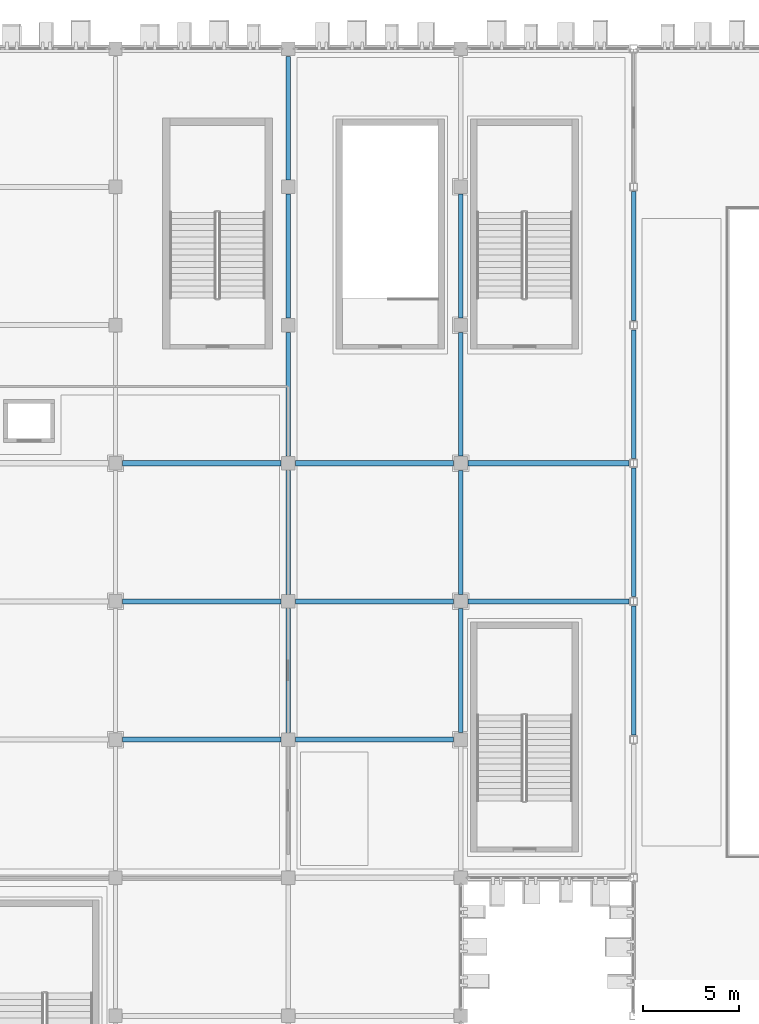
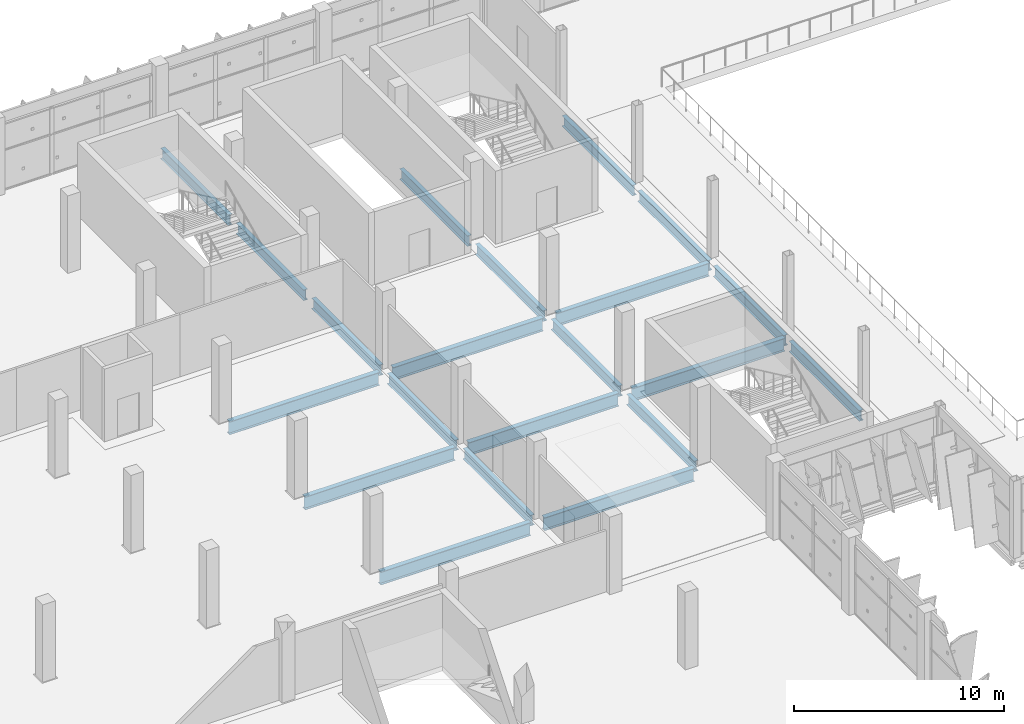
# One storey, part 78 of 151: 21 beams.
"""IFC4 building model written with IfcOpenShell, lengths in metres."""

from ifc_helpers import new_model, si_unit, direction, frame, origin, origin_2d, place, context, subcontext, project, spatial, i_section, extrude, material, material_profile, profile_set, type_object, element, save


model = new_model("IFC4")

# Units and contexts
model_context = context("Model", 3, precision=1e-05, world=origin(), true_north=direction((0.0, 1.0)))
body_context = subcontext(model_context, "Body", "Model", "MODEL_VIEW")
ifc_project = project(units=[si_unit("LENGTHUNIT", "METRE"), si_unit("AREAUNIT", "SQUARE_METRE"), si_unit("VOLUMEUNIT", "CUBIC_METRE"), si_unit("PLANEANGLEUNIT", "RADIAN"), si_unit("MASSUNIT", "GRAM", prefix="KILO")], contexts=[model_context])

# Site, building, storey
site_placement = place(None, origin())
site = spatial("IfcSite", under=ifc_project, at=site_placement, CompositionType="ELEMENT")
building_placement = place(site_placement, origin())
building = spatial("IfcBuilding", under=site, at=building_placement, Name="Celestram Park Convention Centre", CompositionType="ELEMENT")
storey_placement = place(building_placement, frame((0.0, 0.0, 10.800048828125)))
storey = spatial("IfcBuildingStorey", under=building, at=storey_placement, Name="L02", CompositionType="ELEMENT", Elevation=10.800048828125)

# Beams
ifc_material = material(Name="Steel ASTM A992 Grade 50", Category="steel")
ifc_material_profile_1 = material_profile(ifc_material, i_section(OverallWidth=0.22900390625, OverallDepth=0.612060546875, WebThickness=0.011962890625, FlangeThickness=0.01953125, at=origin_2d()), Name="W24X84")
ifc_profile_set_1 = profile_set([ifc_material_profile_1], Name="Steel ASTM A992 Grade 50")
beam_type_1 = type_object("IfcBeamType", Name="STR-BM-W24X84", PredefinedType="BEAM", material=ifc_profile_set_1)
beam_1_placement = place(storey_placement, frame((135.0, 129.972900390625, -0.5859375), z_axis=(0.0, 1.0, 0.0), x_axis=(-1.0, 0.0, 0.0)))
element("IfcBeam", 1, at=beam_1_placement, inside=storey, type_object=beam_type_1, Name="Primary Y-girder BG-L02-0225", PredefinedType="BEAM", context=body_context, shape_type="SweptSolid", body=[
    extrude(i_section(OverallWidth=0.22900390625, OverallDepth=0.612060546875, WebThickness=0.011962890625, FlangeThickness=0.01953125, at=origin_2d()), origin(), (0.0, 0.0, 1.0), 6.4541015625),
])
for number, where, z_axis, x_axis, name in (
    (2, (135.0, 137.173095703125, -0.5859375), (0.0, 1.0, 0.0), (-1.0, 0.0, 0.0), "Primary Y-girder BG-L02-0227"),
    (3, (135.0, 144.373046875, -0.5859375), (0.0, 1.0, 0.0), (-1.0, 0.0, 0.0), "Primary Y-girder BG-L02-0229"),
):
    element("IfcBeam", number, at=place(storey_placement, frame(where, z_axis=z_axis, x_axis=x_axis)), inside=storey, type_object=beam_type_1, Name=name, PredefinedType="BEAM", context=body_context, shape_type="SweptSolid", body=[
        extrude(i_section(OverallWidth=0.22900390625, OverallDepth=0.612060546875, WebThickness=0.011962890625, FlangeThickness=0.01953125, at=origin_2d()), origin(), (0.0, 0.0, 1.0), 6.453857421875),
    ])
beam_2_placement = place(storey_placement, frame((135.0, 151.572998046875, -0.5859375), z_axis=(0.0, 1.0, 0.0), x_axis=(-1.0, 0.0, 0.0)))
element("IfcBeam", 4, at=beam_2_placement, inside=storey, type_object=beam_type_1, Name="Primary Y-girder BG-L02-0230", PredefinedType="BEAM", context=body_context, shape_type="SweptSolid", body=[
    extrude(i_section(OverallWidth=0.22900390625, OverallDepth=0.612060546875, WebThickness=0.011962890625, FlangeThickness=0.01953125, at=origin_2d()), origin(), (0.0, 0.0, 1.0), 6.4541015625),
])
beam_3_placement = place(storey_placement, frame((135.0, 158.77294921875, -0.5859375), z_axis=(0.0, 1.0, 0.0), x_axis=(-1.0, 0.0, 0.0)))
element("IfcBeam", 5, at=beam_3_placement, inside=storey, type_object=beam_type_1, Name="Primary Y-girder BG-L02-0231", PredefinedType="BEAM", context=body_context, shape_type="SweptSolid", body=[
    extrude(i_section(OverallWidth=0.22900390625, OverallDepth=0.612060546875, WebThickness=0.011962890625, FlangeThickness=0.01953125, at=origin_2d()), origin(), (0.0, 0.0, 1.0), 6.428955078125),
])
beam_4_placement = place(storey_placement, frame((144.0, 129.972900390625, -0.5859375), z_axis=(0.0, 1.0, 0.0), x_axis=(-1.0, 0.0, 0.0)))
element("IfcBeam", 6, at=beam_4_placement, inside=storey, type_object=beam_type_1, Name="Primary Y-girder BG-L02-0257", PredefinedType="BEAM", context=body_context, shape_type="SweptSolid", body=[
    extrude(i_section(OverallWidth=0.22900390625, OverallDepth=0.612060546875, WebThickness=0.011962890625, FlangeThickness=0.01953125, at=origin_2d()), origin(), (0.0, 0.0, 1.0), 6.4541015625),
])
for number, where, z_axis, x_axis, name in (
    (7, (144.0, 137.173095703125, -0.5859375), (0.0, 1.0, 0.0), (-1.0, 0.0, 0.0), "Primary Y-girder BG-L02-0259"),
    (8, (144.0, 144.373046875, -0.5859375), (0.0, 1.0, 0.0), (-1.0, 0.0, 0.0), "Primary Y-girder BG-L02-0261"),
):
    element("IfcBeam", number, at=place(storey_placement, frame(where, z_axis=z_axis, x_axis=x_axis)), inside=storey, type_object=beam_type_1, Name=name, PredefinedType="BEAM", context=body_context, shape_type="SweptSolid", body=[
        extrude(i_section(OverallWidth=0.22900390625, OverallDepth=0.612060546875, WebThickness=0.011962890625, FlangeThickness=0.01953125, at=origin_2d()), origin(), (0.0, 0.0, 1.0), 6.453857421875),
    ])
beam_5_placement = place(storey_placement, frame((144.0, 151.572998046875, -0.5859375), z_axis=(0.0, 1.0, 0.0), x_axis=(-1.0, 0.0, 0.0)))
element("IfcBeam", 9, at=beam_5_placement, inside=storey, type_object=beam_type_1, Name="Primary Y-girder BG-L02-0262", PredefinedType="BEAM", context=body_context, shape_type="SweptSolid", body=[
    extrude(i_section(OverallWidth=0.22900390625, OverallDepth=0.612060546875, WebThickness=0.011962890625, FlangeThickness=0.01953125, at=origin_2d()), origin(), (0.0, 0.0, 1.0), 6.4541015625),
])
beam_6_placement = place(storey_placement, frame((153.0, 129.847900390625, -0.72607421875), z_axis=(0.0, 1.0, 0.0), x_axis=(-1.0, 0.0, 0.0)))
element("IfcBeam", 10, at=beam_6_placement, inside=storey, type_object=beam_type_1, Name="Primary Y-girder BG-L02-0278", PredefinedType="BEAM", context=body_context, shape_type="SweptSolid", body=[
    extrude(i_section(OverallWidth=0.22900390625, OverallDepth=0.612060546875, WebThickness=0.011962890625, FlangeThickness=0.01953125, at=origin_2d()), origin(), (0.0, 0.0, 1.0), 6.7041015625),
])
for number, where, z_axis, x_axis, name in (
    (11, (153.0, 137.048095703125, -0.72607421875), (0.0, 1.0, 0.0), (-1.0, 0.0, 0.0), "Primary Y-girder BG-L02-0279"),
    (12, (153.0, 144.248046875, -0.72607421875), (0.0, 1.0, 0.0), (-1.0, 0.0, 0.0), "Primary Y-girder BG-L02-0280"),
):
    element("IfcBeam", number, at=place(storey_placement, frame(where, z_axis=z_axis, x_axis=x_axis)), inside=storey, type_object=beam_type_1, Name=name, PredefinedType="BEAM", context=body_context, shape_type="SweptSolid", body=[
        extrude(i_section(OverallWidth=0.22900390625, OverallDepth=0.612060546875, WebThickness=0.011962890625, FlangeThickness=0.01953125, at=origin_2d()), origin(), (0.0, 0.0, 1.0), 6.703857421875),
    ])
beam_7_placement = place(storey_placement, frame((153.0, 151.447998046875, -0.72607421875), z_axis=(0.0, 1.0, 0.0), x_axis=(-1.0, 0.0, 0.0)))
element("IfcBeam", 13, at=beam_7_placement, inside=storey, type_object=beam_type_1, Name="Primary Y-girder BG-L02-0281", PredefinedType="BEAM", context=body_context, shape_type="SweptSolid", body=[
    extrude(i_section(OverallWidth=0.22900390625, OverallDepth=0.612060546875, WebThickness=0.011962890625, FlangeThickness=0.01953125, at=origin_2d()), origin(), (0.0, 0.0, 1.0), 6.7041015625),
])
ifc_material_profile_2 = material_profile(ifc_material, i_section(OverallWidth=0.26708984375, OverallDepth=0.761962890625, WebThickness=0.014404296875, FlangeThickness=0.021484375, at=origin_2d()), Name="W30X116")
ifc_profile_set_2 = profile_set([ifc_material_profile_2], Name="Steel ASTM A992 Grade 50")
beam_type_2 = type_object("IfcBeamType", Name="STR-BM-W30X116", PredefinedType="BEAM", material=ifc_profile_set_2)
for number, where, z_axis, x_axis, name in (
    (14, (126.373046875, 129.60009765625, -0.6611328125), (1.0, 0.0, 0.0), (0.0, 1.0, 0.0), "Primary X-girder BG-L02-0185"),
    (15, (126.373046875, 136.800048828125, -0.6611328125), (1.0, 0.0, 0.0), (0.0, 1.0, 0.0), "Primary X-girder BG-L02-0187"),
    (16, (126.373046875, 144.0, -0.6611328125), (1.0, 0.0, 0.0), (0.0, 1.0, 0.0), "Primary X-girder BG-L02-0189"),
    (17, (135.373046875, 129.60009765625, -0.6611328125), (1.0, 0.0, 0.0), (0.0, 1.0, 0.0), "Primary X-girder BG-L02-0224"),
    (18, (135.373046875, 136.800048828125, -0.6611328125), (1.0, 0.0, 0.0), (0.0, 1.0, 0.0), "Primary X-girder BG-L02-0226"),
    (19, (135.373046875, 144.0, -0.6611328125), (1.0, 0.0, 0.0), (0.0, 1.0, 0.0), "Primary X-girder BG-L02-0228"),
):
    element("IfcBeam", number, at=place(storey_placement, frame(where, z_axis=z_axis, x_axis=x_axis)), inside=storey, type_object=beam_type_2, Name=name, PredefinedType="BEAM", context=body_context, shape_type="SweptSolid", body=[
        extrude(i_section(OverallWidth=0.26708984375, OverallDepth=0.761962890625, WebThickness=0.014404296875, FlangeThickness=0.021484375, at=origin_2d()), origin(), (0.0, 0.0, 1.0), 8.25390625),
    ])
for number, where, z_axis, x_axis, name in (
    (20, (144.373046875, 136.800048828125, -0.6611328125), (1.0, 0.0, 0.0), (0.0, 1.0, 0.0), "Primary X-girder BG-L02-0258"),
    (21, (144.373046875, 144.0, -0.6611328125), (1.0, 0.0, 0.0), (0.0, 1.0, 0.0), "Primary X-girder BG-L02-0260"),
):
    element("IfcBeam", number, at=place(storey_placement, frame(where, z_axis=z_axis, x_axis=x_axis)), inside=storey, type_object=beam_type_2, Name=name, PredefinedType="BEAM", context=body_context, shape_type="SweptSolid", body=[
        extrude(i_section(OverallWidth=0.26708984375, OverallDepth=0.761962890625, WebThickness=0.014404296875, FlangeThickness=0.021484375, at=origin_2d()), origin(), (0.0, 0.0, 1.0), 8.37890625),
    ])

save(model, "model.ifc")
